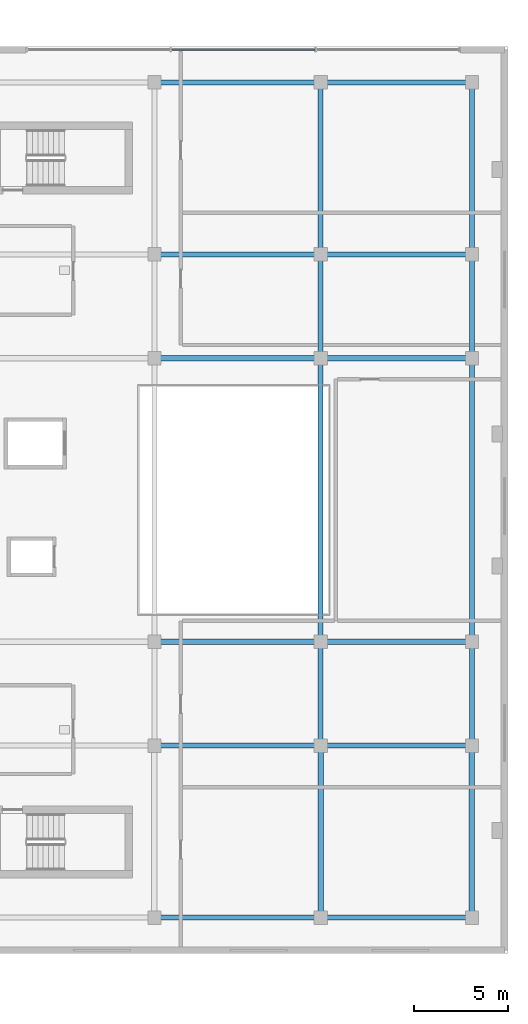
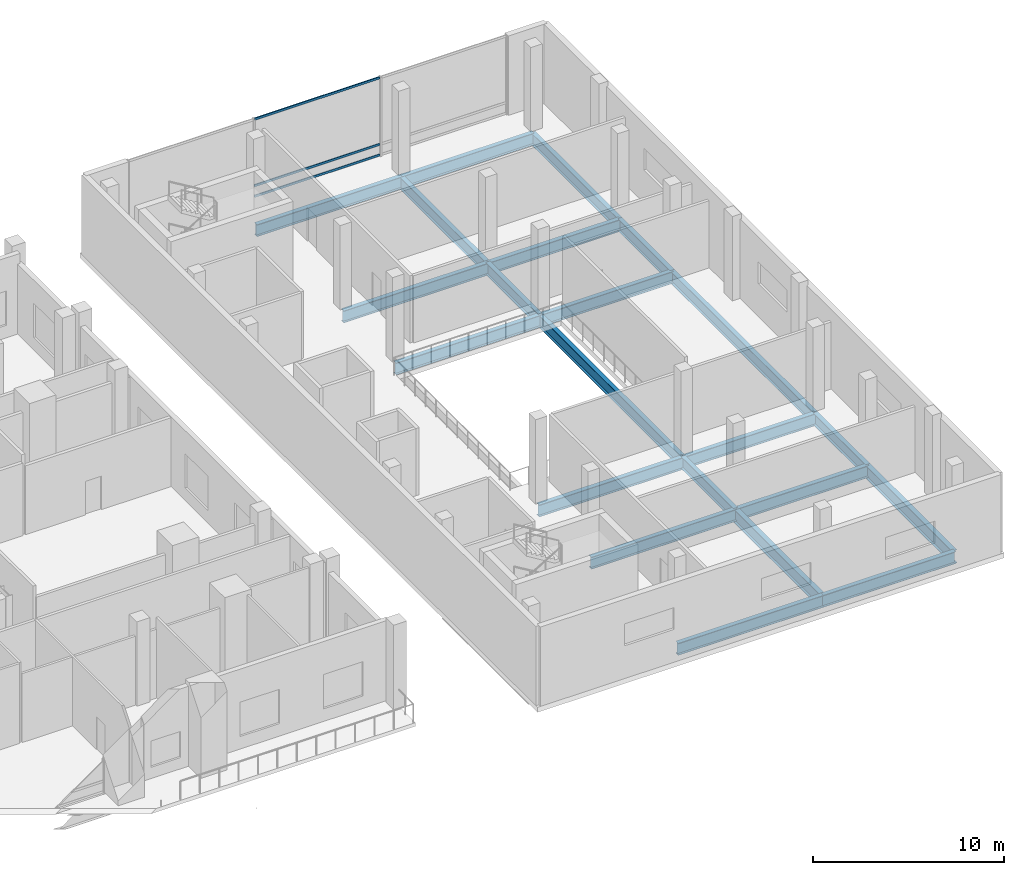
# One storey, part 8 of 22: 22 beams, 3 members, 1 element without a shape of its own.
"""IFC4 building model written with IfcOpenShell, lengths in metres."""

from ifc_helpers import new_model, si_unit, direction, frame, origin, origin_2d, place, context, subcontext, project, spatial, hollow_rectangle, i_section, extrude, material, layer, layer_set, material_profile, profile_set, type_object, element, aggregate, save


model = new_model("IFC4")

# Units and contexts
model_context = context("Model", 3, precision=1e-05, world=origin(), true_north=direction((0.0, 1.0)))
body_context = subcontext(model_context, "Body", "Model", "MODEL_VIEW")
ifc_project = project(units=[si_unit("LENGTHUNIT", "METRE"), si_unit("AREAUNIT", "SQUARE_METRE"), si_unit("VOLUMEUNIT", "CUBIC_METRE"), si_unit("PLANEANGLEUNIT", "RADIAN"), si_unit("MASSUNIT", "GRAM", prefix="KILO")], contexts=[model_context])

# Site, building, storey
site_placement = place(None, origin())
site = spatial("IfcSite", under=ifc_project, at=site_placement, CompositionType="ELEMENT")
building_placement = place(site_placement, origin())
building = spatial("IfcBuilding", under=site, at=building_placement, Name="Barlavira Tower and Art Museum", CompositionType="ELEMENT")
storey_placement = place(building_placement, frame((0.0, 0.0, 16.800048828125)))
storey = spatial("IfcBuildingStorey", under=building, at=storey_placement, Name="L03", CompositionType="ELEMENT", Elevation=16.800048828125)

# Curtain wall, members
ifc_material_1 = material(Name="Low-iron coastal laminated glass", Category="glass")
ifc_layer = layer(ifc_material_1, 0.199951171875, Name="Low-iron coastal laminated glass")
ifc_layer_set = layer_set([ifc_layer], Name="Low-iron coastal laminated glass")
curtain_wall_type = type_object("IfcCurtainWallType", Name="Coastal Art Museum North-Light Curtain Wall", PredefinedType="NOTDEFINED", material=ifc_layer_set)
curtain_wall_placement = place(storey_placement, origin())
curtain_wall = element("IfcCurtainWall", 1, at=curtain_wall_placement, inside=storey, type_object=curtain_wall_type, Name="L03 Curtain Wall CW6-MUS-L03-N", PredefinedType="NOTDEFINED")
ifc_material_2 = material(Name="Pale anodised aluminium", Category="aluminium")
ifc_material_profile_1 = material_profile(ifc_material_2, hollow_rectangle(XDim=0.06494140625, YDim=0.139892578125, WallThickness=0.00390625, at=origin_2d()), Name="ALU-TRAN 65x140x4")
ifc_profile_set_1 = profile_set([ifc_material_profile_1], Name="Pale anodised aluminium")
member_type = type_object("IfcMemberType", Name="Curtain Wall Pale-Metal Transom 65x140", PredefinedType="USERDEFINED", material=ifc_profile_set_1)
member_1_placement = place(storey_placement, frame((47.288330078125, 23.824951171875, 0.070068359375), z_axis=(-1.0, 0.0, 0.0), x_axis=(0.0, -1.0, 0.0)))
member_1 = element("IfcMember", 2, at=member_1_placement, type_object=member_type, Name="CW6-MUS-L03-N Transom 1.1", ObjectType="TRANSOM", PredefinedType="USERDEFINED", context=body_context, shape_type="SweptSolid", body=[
    extrude(hollow_rectangle(XDim=0.06494140625, YDim=0.139892578125, WallThickness=0.00390625, at=origin_2d()), origin(), (0.0, 0.0, 1.0), 7.57666015625),
])
member_2_placement = place(storey_placement, frame((47.288330078125, 23.824951171875, 0.75), z_axis=(-1.0, 0.0, 0.0), x_axis=(0.0, -1.0, 0.0)))
member_2 = element("IfcMember", 3, at=member_2_placement, type_object=member_type, Name="CW6-MUS-L03-N Transom 1.2", ObjectType="TRANSOM", PredefinedType="USERDEFINED", context=body_context, shape_type="SweptSolid", body=[
    extrude(hollow_rectangle(XDim=0.06494140625, YDim=0.139892578125, WallThickness=0.00390625, at=origin_2d()), origin(), (0.0, 0.0, 1.0), 7.57666015625),
])
member_3_placement = place(storey_placement, frame((47.288330078125, 23.824951171875, 5.010009765625), z_axis=(-1.0, 0.0, 0.0), x_axis=(0.0, -1.0, 0.0)))
member_3 = element("IfcMember", 4, at=member_3_placement, type_object=member_type, Name="CW6-MUS-L03-N Transom 1.3", ObjectType="TRANSOM", PredefinedType="USERDEFINED", context=body_context, shape_type="SweptSolid", body=[
    extrude(hollow_rectangle(XDim=0.06494140625, YDim=0.139892578125, WallThickness=0.00390625, at=origin_2d()), origin(), (0.0, 0.0, 1.0), 7.57666015625),
])
aggregate(curtain_wall, [member_1, member_2, member_3])

# Beams
ifc_material_3 = material(Name="Steel S355", Category="steel")
ifc_material_profile_2 = material_profile(ifc_material_3, i_section(OverallWidth=0.2939453125, OverallDepth=0.85107421875, WebThickness=0.017333984375, FlangeThickness=0.0283203125, at=origin_2d()), Name="W840x251.0")
ifc_profile_set_2 = profile_set([ifc_material_profile_2], Name="Steel S355")
beam_type_1 = type_object("IfcBeamType", Name="Museum Auditorium Heavy Girder W840x251 Steel S355", PredefinedType="BEAM", material=ifc_profile_set_2)
for number, where, z_axis, x_axis, name in (
    (5, (47.60009765625, -22.10009765625, -0.74560546875), (0.0, 1.0, 0.0), (-1.0, 0.0, 0.0), "L03 Museum Girder Y 3-1"),
    (6, (55.60009765625, -22.10009765625, -0.74560546875), (0.0, 1.0, 0.0), (-1.0, 0.0, 0.0), "L03 Museum Girder Y 4-1"),
):
    element("IfcBeam", number, at=place(storey_placement, frame(where, z_axis=z_axis, x_axis=x_axis)), inside=storey, type_object=beam_type_1, Name=name, PredefinedType="BEAM", context=body_context, shape_type="SweptSolid", body=[
        extrude(i_section(OverallWidth=0.2939453125, OverallDepth=0.85107421875, WebThickness=0.017333984375, FlangeThickness=0.0283203125, at=origin_2d()), origin(), (0.0, 0.0, 1.0), 9.10009765625),
    ])
ifc_material_profile_3 = material_profile(ifc_material_3, i_section(OverallWidth=0.26904296875, OverallDepth=0.76806640625, WebThickness=0.016845703125, FlangeThickness=0.026611328125, at=origin_2d()), Name="W760x220.0")
ifc_profile_set_3 = profile_set([ifc_material_profile_3], Name="Steel S355")
beam_type_2 = type_object("IfcBeamType", Name="Museum Long-Span Gallery Girder W760x220 Steel S355", PredefinedType="BEAM", material=ifc_profile_set_3)
beam_1_placement = place(storey_placement, frame((47.60009765625, -13.0, -0.7041015625), z_axis=(0.0, 1.0, 0.0), x_axis=(-1.0, 0.0, 0.0)))
element("IfcBeam", 7, at=beam_1_placement, inside=storey, type_object=beam_type_2, Name="L03 Museum Girder Y 3-2", PredefinedType="BEAM", context=body_context, shape_type="SweptSolid", body=[
    extrude(i_section(OverallWidth=0.26904296875, OverallDepth=0.76806640625, WebThickness=0.016845703125, FlangeThickness=0.026611328125, at=origin_2d()), origin(), (0.0, 0.0, 1.0), 5.5),
])
beam_2_placement = place(storey_placement, frame((47.60009765625, -7.5, -0.7041015625), z_axis=(0.0, 1.0, 0.0), x_axis=(-1.0, 0.0, 0.0)))
element("IfcBeam", 8, at=beam_2_placement, inside=storey, type_object=beam_type_2, Name="L03 Museum Girder Y 3-3", PredefinedType="BEAM", context=body_context, shape_type="SweptSolid", body=[
    extrude(i_section(OverallWidth=0.26904296875, OverallDepth=0.76806640625, WebThickness=0.016845703125, FlangeThickness=0.026611328125, at=origin_2d()), origin(), (0.0, 0.0, 1.0), 15.0),
])
beam_3_placement = place(storey_placement, frame((47.60009765625, 7.5, -0.7041015625), z_axis=(0.0, 1.0, 0.0), x_axis=(-1.0, 0.0, 0.0)))
element("IfcBeam", 9, at=beam_3_placement, inside=storey, type_object=beam_type_2, Name="L03 Museum Girder Y 3-4", PredefinedType="BEAM", context=body_context, shape_type="SweptSolid", body=[
    extrude(i_section(OverallWidth=0.26904296875, OverallDepth=0.76806640625, WebThickness=0.016845703125, FlangeThickness=0.026611328125, at=origin_2d()), origin(), (0.0, 0.0, 1.0), 5.5),
])
beam_4_placement = place(storey_placement, frame((47.60009765625, 13.0, -0.7041015625), z_axis=(0.0, 1.0, 0.0), x_axis=(-1.0, 0.0, 0.0)))
element("IfcBeam", 10, at=beam_4_placement, inside=storey, type_object=beam_type_2, Name="L03 Museum Girder Y 3-5", PredefinedType="BEAM", context=body_context, shape_type="SweptSolid", body=[
    extrude(i_section(OverallWidth=0.26904296875, OverallDepth=0.76806640625, WebThickness=0.016845703125, FlangeThickness=0.026611328125, at=origin_2d()), origin(), (0.0, 0.0, 1.0), 9.10009765625),
])
beam_5_placement = place(storey_placement, frame((55.60009765625, -13.0, -0.7041015625), z_axis=(0.0, 1.0, 0.0), x_axis=(-1.0, 0.0, 0.0)))
element("IfcBeam", 11, at=beam_5_placement, inside=storey, type_object=beam_type_2, Name="L03 Museum Girder Y 4-2", PredefinedType="BEAM", context=body_context, shape_type="SweptSolid", body=[
    extrude(i_section(OverallWidth=0.26904296875, OverallDepth=0.76806640625, WebThickness=0.016845703125, FlangeThickness=0.026611328125, at=origin_2d()), origin(), (0.0, 0.0, 1.0), 5.5),
])
beam_6_placement = place(storey_placement, frame((55.60009765625, -7.5, -0.7041015625), z_axis=(0.0, 1.0, 0.0), x_axis=(-1.0, 0.0, 0.0)))
element("IfcBeam", 12, at=beam_6_placement, inside=storey, type_object=beam_type_2, Name="L03 Museum Girder Y 4-3", PredefinedType="BEAM", context=body_context, shape_type="SweptSolid", body=[
    extrude(i_section(OverallWidth=0.26904296875, OverallDepth=0.76806640625, WebThickness=0.016845703125, FlangeThickness=0.026611328125, at=origin_2d()), origin(), (0.0, 0.0, 1.0), 15.0),
])
beam_7_placement = place(storey_placement, frame((55.60009765625, 7.5, -0.7041015625), z_axis=(0.0, 1.0, 0.0), x_axis=(-1.0, 0.0, 0.0)))
element("IfcBeam", 13, at=beam_7_placement, inside=storey, type_object=beam_type_2, Name="L03 Museum Girder Y 4-4", PredefinedType="BEAM", context=body_context, shape_type="SweptSolid", body=[
    extrude(i_section(OverallWidth=0.26904296875, OverallDepth=0.76806640625, WebThickness=0.016845703125, FlangeThickness=0.026611328125, at=origin_2d()), origin(), (0.0, 0.0, 1.0), 5.5),
])
beam_8_placement = place(storey_placement, frame((55.60009765625, 13.0, -0.7041015625), z_axis=(0.0, 1.0, 0.0), x_axis=(-1.0, 0.0, 0.0)))
element("IfcBeam", 14, at=beam_8_placement, inside=storey, type_object=beam_type_2, Name="L03 Museum Girder Y 4-5", PredefinedType="BEAM", context=body_context, shape_type="SweptSolid", body=[
    extrude(i_section(OverallWidth=0.26904296875, OverallDepth=0.76806640625, WebThickness=0.016845703125, FlangeThickness=0.026611328125, at=origin_2d()), origin(), (0.0, 0.0, 1.0), 9.10009765625),
])
beam_9_placement = place(storey_placement, frame((38.800048828125, -22.10009765625, -0.7041015625), z_axis=(1.0, 0.0, 0.0), x_axis=(0.0, 1.0, 0.0)))
element("IfcBeam", 15, at=beam_9_placement, inside=storey, type_object=beam_type_2, Name="L03 Museum Girder X 1-2", PredefinedType="BEAM", context=body_context, shape_type="SweptSolid", body=[
    extrude(i_section(OverallWidth=0.26904296875, OverallDepth=0.76806640625, WebThickness=0.016845703125, FlangeThickness=0.026611328125, at=origin_2d()), origin(), (0.0, 0.0, 1.0), 8.800048828125),
])
beam_10_placement = place(storey_placement, frame((47.60009765625, -22.10009765625, -0.7041015625), z_axis=(1.0, 0.0, 0.0), x_axis=(0.0, 1.0, 0.0)))
element("IfcBeam", 16, at=beam_10_placement, inside=storey, type_object=beam_type_2, Name="L03 Museum Girder X 1-3", PredefinedType="BEAM", context=body_context, shape_type="SweptSolid", body=[
    extrude(i_section(OverallWidth=0.26904296875, OverallDepth=0.76806640625, WebThickness=0.016845703125, FlangeThickness=0.026611328125, at=origin_2d()), origin(), (0.0, 0.0, 1.0), 8.0),
])
beam_11_placement = place(storey_placement, frame((38.800048828125, -13.0, -0.7041015625), z_axis=(1.0, 0.0, 0.0), x_axis=(0.0, 1.0, 0.0)))
element("IfcBeam", 17, at=beam_11_placement, inside=storey, type_object=beam_type_2, Name="L03 Museum Girder X 2-2", PredefinedType="BEAM", context=body_context, shape_type="SweptSolid", body=[
    extrude(i_section(OverallWidth=0.26904296875, OverallDepth=0.76806640625, WebThickness=0.016845703125, FlangeThickness=0.026611328125, at=origin_2d()), origin(), (0.0, 0.0, 1.0), 8.800048828125),
])
beam_12_placement = place(storey_placement, frame((47.60009765625, -13.0, -0.7041015625), z_axis=(1.0, 0.0, 0.0), x_axis=(0.0, 1.0, 0.0)))
element("IfcBeam", 18, at=beam_12_placement, inside=storey, type_object=beam_type_2, Name="L03 Museum Girder X 2-3", PredefinedType="BEAM", context=body_context, shape_type="SweptSolid", body=[
    extrude(i_section(OverallWidth=0.26904296875, OverallDepth=0.76806640625, WebThickness=0.016845703125, FlangeThickness=0.026611328125, at=origin_2d()), origin(), (0.0, 0.0, 1.0), 8.0),
])
beam_13_placement = place(storey_placement, frame((38.800048828125, -7.5, -0.7041015625), z_axis=(1.0, 0.0, 0.0), x_axis=(0.0, 1.0, 0.0)))
element("IfcBeam", 19, at=beam_13_placement, inside=storey, type_object=beam_type_2, Name="L03 Museum Girder X 3-2", PredefinedType="BEAM", context=body_context, shape_type="SweptSolid", body=[
    extrude(i_section(OverallWidth=0.26904296875, OverallDepth=0.76806640625, WebThickness=0.016845703125, FlangeThickness=0.026611328125, at=origin_2d()), origin(), (0.0, 0.0, 1.0), 8.800048828125),
])
beam_14_placement = place(storey_placement, frame((47.60009765625, -7.5, -0.7041015625), z_axis=(1.0, 0.0, 0.0), x_axis=(0.0, 1.0, 0.0)))
element("IfcBeam", 20, at=beam_14_placement, inside=storey, type_object=beam_type_2, Name="L03 Museum Girder X 3-3", PredefinedType="BEAM", context=body_context, shape_type="SweptSolid", body=[
    extrude(i_section(OverallWidth=0.26904296875, OverallDepth=0.76806640625, WebThickness=0.016845703125, FlangeThickness=0.026611328125, at=origin_2d()), origin(), (0.0, 0.0, 1.0), 8.0),
])
beam_15_placement = place(storey_placement, frame((38.800048828125, 7.5, -0.7041015625), z_axis=(1.0, 0.0, 0.0), x_axis=(0.0, 1.0, 0.0)))
element("IfcBeam", 21, at=beam_15_placement, inside=storey, type_object=beam_type_2, Name="L03 Museum Girder X 4-2", PredefinedType="BEAM", context=body_context, shape_type="SweptSolid", body=[
    extrude(i_section(OverallWidth=0.26904296875, OverallDepth=0.76806640625, WebThickness=0.016845703125, FlangeThickness=0.026611328125, at=origin_2d()), origin(), (0.0, 0.0, 1.0), 8.800048828125),
])
beam_16_placement = place(storey_placement, frame((47.60009765625, 7.5, -0.7041015625), z_axis=(1.0, 0.0, 0.0), x_axis=(0.0, 1.0, 0.0)))
element("IfcBeam", 22, at=beam_16_placement, inside=storey, type_object=beam_type_2, Name="L03 Museum Girder X 4-3", PredefinedType="BEAM", context=body_context, shape_type="SweptSolid", body=[
    extrude(i_section(OverallWidth=0.26904296875, OverallDepth=0.76806640625, WebThickness=0.016845703125, FlangeThickness=0.026611328125, at=origin_2d()), origin(), (0.0, 0.0, 1.0), 8.0),
])
beam_17_placement = place(storey_placement, frame((38.800048828125, 13.0, -0.7041015625), z_axis=(1.0, 0.0, 0.0), x_axis=(0.0, 1.0, 0.0)))
element("IfcBeam", 23, at=beam_17_placement, inside=storey, type_object=beam_type_2, Name="L03 Museum Girder X 5-2", PredefinedType="BEAM", context=body_context, shape_type="SweptSolid", body=[
    extrude(i_section(OverallWidth=0.26904296875, OverallDepth=0.76806640625, WebThickness=0.016845703125, FlangeThickness=0.026611328125, at=origin_2d()), origin(), (0.0, 0.0, 1.0), 8.800048828125),
])
beam_18_placement = place(storey_placement, frame((47.60009765625, 13.0, -0.7041015625), z_axis=(1.0, 0.0, 0.0), x_axis=(0.0, 1.0, 0.0)))
element("IfcBeam", 24, at=beam_18_placement, inside=storey, type_object=beam_type_2, Name="L03 Museum Girder X 5-3", PredefinedType="BEAM", context=body_context, shape_type="SweptSolid", body=[
    extrude(i_section(OverallWidth=0.26904296875, OverallDepth=0.76806640625, WebThickness=0.016845703125, FlangeThickness=0.026611328125, at=origin_2d()), origin(), (0.0, 0.0, 1.0), 8.0),
])
beam_19_placement = place(storey_placement, frame((38.800048828125, 22.10009765625, -0.7041015625), z_axis=(1.0, 0.0, 0.0), x_axis=(0.0, 1.0, 0.0)))
element("IfcBeam", 25, at=beam_19_placement, inside=storey, type_object=beam_type_2, Name="L03 Museum Girder X 6-2", PredefinedType="BEAM", context=body_context, shape_type="SweptSolid", body=[
    extrude(i_section(OverallWidth=0.26904296875, OverallDepth=0.76806640625, WebThickness=0.016845703125, FlangeThickness=0.026611328125, at=origin_2d()), origin(), (0.0, 0.0, 1.0), 8.800048828125),
])
beam_20_placement = place(storey_placement, frame((47.60009765625, 22.10009765625, -0.7041015625), z_axis=(1.0, 0.0, 0.0), x_axis=(0.0, 1.0, 0.0)))
element("IfcBeam", 26, at=beam_20_placement, inside=storey, type_object=beam_type_2, Name="L03 Museum Girder X 6-3", PredefinedType="BEAM", context=body_context, shape_type="SweptSolid", body=[
    extrude(i_section(OverallWidth=0.26904296875, OverallDepth=0.76806640625, WebThickness=0.016845703125, FlangeThickness=0.026611328125, at=origin_2d()), origin(), (0.0, 0.0, 1.0), 8.0),
])

save(model, "model.ifc")
